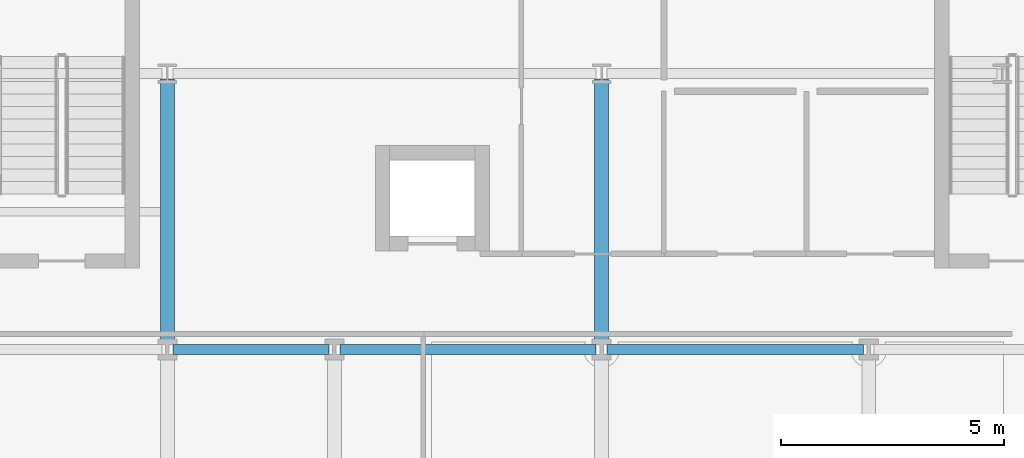
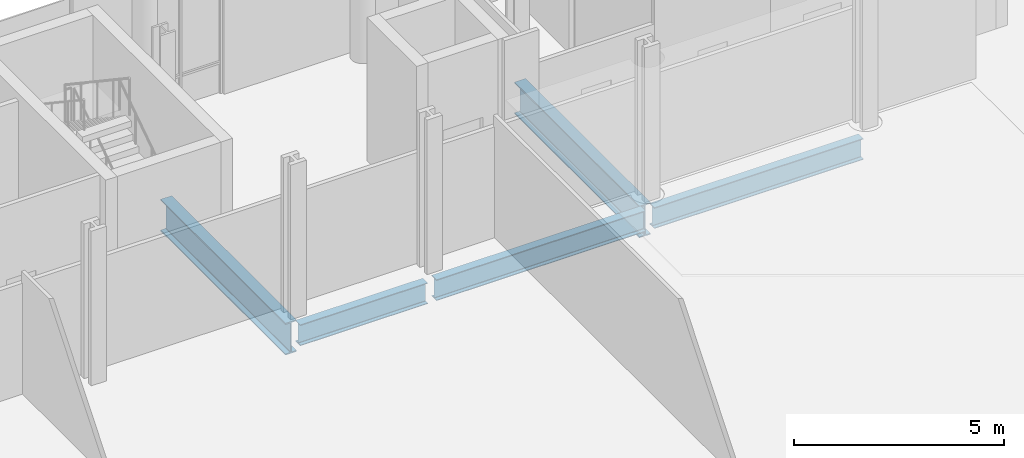
# One storey, part 9 of 28: 5 beams.
"""IFC4 building model written with IfcOpenShell, lengths in metres."""

import ifcopenshell
import ifcopenshell.guid

model = None  # the IFC model being written
_history = None  # IfcOwnerHistory: only IFC2X3 demands one
_inside = {}  # id of a spatial element -> (the spatial element, [elements in it])
_under = {}  # id of a project, library or spatial element -> (it, [spatial elements below it])
_declared = {}  # id of a project -> (the project, [libraries it declares])
_typed = {}  # id of a type object -> (the type object, [elements of that type])
_made_of = {}  # id of a material, layer set ... -> (it, [elements and type objects made of it])


def new_model(schema):
    """Start an empty IFC model of exactly this schema.

    Asked for "IFC4X3", IfcOpenShell would pick the latest addendum, in which some entities
    have other attributes; the version numbers below select the first issue.
    IFC2X3 requires an IfcOwnerHistory on every rooted entity: one is made here for all.
    """
    global model, _history
    if schema == "IFC4X3":
        model = ifcopenshell.file(schema_version=(4, 3, 0, 0))
    else:
        model = ifcopenshell.file(schema=schema)
    _inside.clear()
    _under.clear()
    _declared.clear()
    _typed.clear()
    _made_of.clear()
    _history = None
    if model.schema == "IFC2X3":
        org = make("IfcOrganization", Name="unknown")
        user = make(
            "IfcPersonAndOrganization",
            ThePerson=make("IfcPerson", FamilyName="unknown"),
            TheOrganization=org,
        )
        app = make(
            "IfcApplication",
            ApplicationDeveloper=org,
            Version="unknown",
            ApplicationFullName="unknown",
            ApplicationIdentifier="unknown",
        )
        _history = make(
            "IfcOwnerHistory",
            OwningUser=user,
            OwningApplication=app,
            ChangeAction="ADDED",
            CreationDate=0,
        )
    return model


def make(cls, **values):
    """One entity of the class cls with the attributes given. An attribute that is None is left unset."""
    return model.create_entity(
        cls, **{name: value for name, value in values.items() if value is not None}
    )


def rooted(cls, **values):
    """An entity with a GlobalId (a new one), such as an element, a storey or a relation."""
    return make(cls, GlobalId=ifcopenshell.guid.new(), OwnerHistory=_history, **values)


def si_unit(unit_type, name, prefix=None):
    """IfcSIUnit, for example si_unit("LENGTHUNIT", "METRE", prefix="MILLI")."""
    return make("IfcSIUnit", UnitType=unit_type, Prefix=prefix, Name=name)


def assignment(units):
    """IfcUnitAssignment: the units of a project."""
    return None if units is None else make("IfcUnitAssignment", Units=units)


def point(xyz):
    """IfcCartesianPoint."""
    return None if xyz is None else make("IfcCartesianPoint", Coordinates=xyz)


def direction(xyz):
    """IfcDirection."""
    return None if xyz is None else make("IfcDirection", DirectionRatios=xyz)


def frame(location, z_axis=None, x_axis=None):
    """IfcAxis2Placement3D, a coordinate frame: its origin and axes. An axis left out is left unset."""
    return make(
        "IfcAxis2Placement3D",
        Location=point(location),
        Axis=direction(z_axis),
        RefDirection=direction(x_axis),
    )


def frame_2d(location, x_axis=None):
    """IfcAxis2Placement2D, a coordinate frame in the plane: its origin and x axis."""
    return make(
        "IfcAxis2Placement2D", Location=point(location), RefDirection=direction(x_axis)
    )


def origin():
    """The frame at (0, 0, 0) with its axes left unset."""
    return frame((0.0, 0.0, 0.0))


def origin_2d():
    """The frame at (0, 0) in the plane with its x axis left unset."""
    return frame_2d((0.0, 0.0))


def place(relative_to, where):
    """IfcLocalPlacement: puts the frame where relative to a parent placement (None: the world)."""
    return make(
        "IfcLocalPlacement", PlacementRelTo=relative_to, RelativePlacement=where
    )


def context(
    kind, dimensions, precision=None, world=None, true_north=None, identifier=None
):
    """IfcGeometricRepresentationContext, for example the 3D "Model" context."""
    return make(
        "IfcGeometricRepresentationContext",
        ContextIdentifier=identifier,
        ContextType=kind,
        CoordinateSpaceDimension=dimensions,
        Precision=precision,
        WorldCoordinateSystem=world,
        TrueNorth=true_north,
    )


def subcontext(parent, identifier, kind, view, scale=None):
    """IfcGeometricRepresentationSubContext, for example "Body" below "Model"."""
    return make(
        "IfcGeometricRepresentationSubContext",
        ContextIdentifier=identifier,
        ContextType=kind,
        ParentContext=parent,
        TargetScale=scale,
        TargetView=view,
    )


def project(units=None, contexts=None):
    """IfcProject with its units and contexts."""
    return rooted(
        "IfcProject",
        Name="project",
        RepresentationContexts=contexts,
        UnitsInContext=assignment(units),
    )


def spatial(cls, under=None, at=None, **own):
    """A site, building, storey or space (cls), placed at a placement, below another one or the project."""
    s = rooted(cls, ObjectPlacement=at, **own)
    if under is not None:
        _under.setdefault(under.id(), (under, []))[1].append(s)
    return s


def profile(cls, at=None, kind="AREA", **sizes):
    """A parametric profile (cls). Its sizes go by their IFC names, for example OverallWidth=200.0."""
    return make(cls, ProfileType=kind, Position=at, **sizes)


def i_section(**sizes):
    """IfcIShapeProfileDef."""
    return profile("IfcIShapeProfileDef", **sizes)


def extrude(swept, where, along, depth):
    """IfcExtrudedAreaSolid: the profile swept, set in the frame where, extruded along a direction by depth."""
    return make(
        "IfcExtrudedAreaSolid",
        SweptArea=swept,
        Position=where,
        ExtrudedDirection=direction(along),
        Depth=depth,
    )


def shape(context_of_items, identifier, shape_type, items):
    """IfcShapeRepresentation: the items that make up one representation, for example the "Body"."""
    return make(
        "IfcShapeRepresentation",
        ContextOfItems=context_of_items,
        RepresentationIdentifier=identifier,
        RepresentationType=shape_type,
        Items=items,
    )


def material(Name=None, Category=None):
    """IfcMaterial."""
    return make("IfcMaterial", Name=Name, Category=Category)


def material_profile(
    of_material, cross_section, Name=None, Category=None, Priority=None
):
    """IfcMaterialProfile: a cross section and its material."""
    return make(
        "IfcMaterialProfile",
        Name=Name,
        Material=of_material,
        Profile=cross_section,
        Priority=Priority,
        Category=Category,
    )


def profile_set(profiles, Name=None, composite=None):
    """IfcMaterialProfileSet."""
    return make(
        "IfcMaterialProfileSet",
        Name=Name,
        MaterialProfiles=profiles,
        CompositeProfile=composite,
    )


def made_of(thing, what):
    """Note that an element or type object is made of a material, layer set ...; save() writes the relation."""
    if what is not None:
        _made_of.setdefault(what.id(), (what, []))[1].append(thing)
    return thing


def type_object(cls, material=None, **own):
    """A type object (cls), such as IfcWallType, which elements share."""
    return made_of(rooted(cls, **own), material)


def element(
    cls,
    number,
    at=None,
    inside=None,
    cuts=None,
    type_object=None,
    material=None,
    context=None,
    identifier="Body",
    shape_type=None,
    held_by="IfcProductDefinitionShape",
    body=None,
    shapes=None,
    **own,
):
    """One element of the class cls, such as IfcWall. Its Tag is "e" and its number.

    at: its placement. inside: the storey or other place that contains it. cuts: it is an
    opening in that element (IfcRelVoidsElement). A single representation is given by context,
    identifier, shape_type and body (its items); several are given by shapes. held_by: the class
    of the entity that holds the representations. save() writes the other relations.
    """
    e = rooted(cls, Tag="e%d" % number, ObjectPlacement=at, **own)
    if body is not None:
        shapes = [shape(context, identifier, shape_type, body)]
    if shapes is not None:
        e.Representation = make(held_by, Representations=shapes)
    if inside is not None:
        _inside.setdefault(inside.id(), (inside, []))[1].append(e)
    if cuts is not None:
        rooted(
            "IfcRelVoidsElement", RelatingBuildingElement=cuts, RelatedOpeningElement=e
        )
    if type_object is not None:
        _typed.setdefault(type_object.id(), (type_object, []))[1].append(e)
    return made_of(e, material)


def aggregate(whole, parts):
    """IfcRelAggregates: a whole, such as a stair, and the parts it consists of."""
    return rooted("IfcRelAggregates", RelatingObject=whole, RelatedObjects=parts)


def save(model, path):
    """Write the relations noted so far, then the file.

    IfcRelAggregates (storeys below a building ...), IfcRelContainedInSpatialStructure (elements
    in a storey), IfcRelDefinesByType, IfcRelAssociatesMaterial and IfcRelDeclares: one each for
    every whole, place, type object, material and project.
    """
    for whole, parts in _under.values():
        aggregate(whole, parts)
    for where, things in _inside.values():
        rooted(
            "IfcRelContainedInSpatialStructure",
            RelatedElements=things,
            RelatingStructure=where,
        )
    for kind, things in _typed.values():
        rooted("IfcRelDefinesByType", RelatedObjects=things, RelatingType=kind)
    for what, things in _made_of.values():
        rooted("IfcRelAssociatesMaterial", RelatedObjects=things, RelatingMaterial=what)
    for by, libraries in _declared.values():
        rooted("IfcRelDeclares", RelatingContext=by, RelatedDefinitions=libraries)
    model.write(path)


model = new_model("IFC4")

# Units and contexts
model_context = context("Model", 3, precision=1e-05, world=origin(), true_north=direction((0.0, 1.0)))
body_context = subcontext(model_context, "Body", "Model", "MODEL_VIEW")
ifc_project = project(units=[si_unit("LENGTHUNIT", "METRE"), si_unit("AREAUNIT", "SQUARE_METRE"), si_unit("VOLUMEUNIT", "CUBIC_METRE"), si_unit("PLANEANGLEUNIT", "RADIAN"), si_unit("MASSUNIT", "GRAM", prefix="KILO")], contexts=[model_context])

# Site, building, storey
site_placement = place(None, origin())
site = spatial("IfcSite", under=ifc_project, at=site_placement, CompositionType="ELEMENT")
building_placement = place(site_placement, origin())
building = spatial("IfcBuilding", under=site, at=building_placement, Name="Brevholm Reach", CompositionType="ELEMENT")
storey_placement = place(building_placement, origin())
storey = spatial("IfcBuildingStorey", under=building, at=storey_placement, Name="L00", CompositionType="ELEMENT", Elevation=0.0)

# Beams
ifc_material_1 = material(Name="Structural Steel S355J2", Category="steel")
ifc_material_profile_1 = material_profile(ifc_material_1, i_section(OverallWidth=0.22900390625, OverallDepth=0.6123046875, WebThickness=0.011962890625, FlangeThickness=0.01953125, FilletRadius=0.0126953125, at=origin_2d()), Name="UKB 610x229x125")
ifc_profile_set_1 = profile_set([ifc_material_profile_1], Name="Structural Steel S355J2")
beam_type_1 = type_object("IfcBeamType", Name="BM-SP610", PredefinedType="SPANDREL", material=ifc_profile_set_1)
beam_placement = place(storey_placement, frame((38.3701171875, 31.0, -0.64599609375), z_axis=(1.0, 0.0, 0.0), x_axis=(0.0, 1.0, 0.0)))
element("IfcBeam", 1, at=beam_placement, inside=storey, type_object=beam_type_1, Name="L00 SP-01 Framing Beam", PredefinedType="SPANDREL", context=body_context, shape_type="SweptSolid", body=[
    extrude(i_section(OverallWidth=0.22900390625, OverallDepth=0.6123046875, WebThickness=0.011962890625, FlangeThickness=0.01953125, FilletRadius=0.0126953125, at=origin_2d()), origin(), (0.0, 0.0, 1.0), 3.509765625),
])
for number, where, z_axis, x_axis, name in (
    (2, (42.1201171875, 31.0, -0.64599609375), (1.0, 0.0, 0.0), (0.0, 1.0, 0.0), "L00 SP-01 Framing Beam"),
    (3, (48.1201171875, 31.0, -0.64599609375), (1.0, 0.0, 0.0), (0.0, 1.0, 0.0), "L00 SP-01 Framing Beam"),
):
    element("IfcBeam", number, at=place(storey_placement, frame(where, z_axis=z_axis, x_axis=x_axis)), inside=storey, type_object=beam_type_1, Name=name, PredefinedType="SPANDREL", context=body_context, shape_type="SweptSolid", body=[
        extrude(i_section(OverallWidth=0.22900390625, OverallDepth=0.6123046875, WebThickness=0.011962890625, FlangeThickness=0.01953125, FilletRadius=0.0126953125, at=origin_2d()), origin(), (0.0, 0.0, 1.0), 5.759765625),
    ])
ifc_material_2 = material(Name="Structural Steel S460ML", Category="steel")
ifc_material_profile_2 = material_profile(ifc_material_2, i_section(OverallWidth=0.3076171875, OverallDepth=0.926513671875, WebThickness=0.01953125, FlangeThickness=0.031982421875, FilletRadius=0.01904296875, at=origin_2d()), Name="UKB 914x305x289")
ifc_profile_set_2 = profile_set([ifc_material_profile_2], Name="Structural Steel S460ML")
beam_type_2 = type_object("IfcBeamType", Name="BM-UKB914B", PredefinedType="USERDEFINED", material=ifc_profile_set_2)
for number, where, z_axis, x_axis, name in (
    (4, (38.25, 31.1201171875, -0.80322265625), (0.0, 1.0, 0.0), (-1.0, 0.0, 0.0), "L00 G-02B Framing Beam"),
    (5, (48.0, 31.1201171875, -0.80322265625), (0.0, 1.0, 0.0), (-1.0, 0.0, 0.0), "L00 G-02B Framing Beam"),
):
    element("IfcBeam", number, at=place(storey_placement, frame(where, z_axis=z_axis, x_axis=x_axis)), inside=storey, type_object=beam_type_2, Name=name, ObjectType="GIRDER", PredefinedType="USERDEFINED", context=body_context, shape_type="SweptSolid", body=[
        extrude(i_section(OverallWidth=0.3076171875, OverallDepth=0.926513671875, WebThickness=0.01953125, FlangeThickness=0.031982421875, FilletRadius=0.01904296875, at=origin_2d()), origin(), (0.0, 0.0, 1.0), 5.9599609375),
    ])

save(model, "model.ifc")
